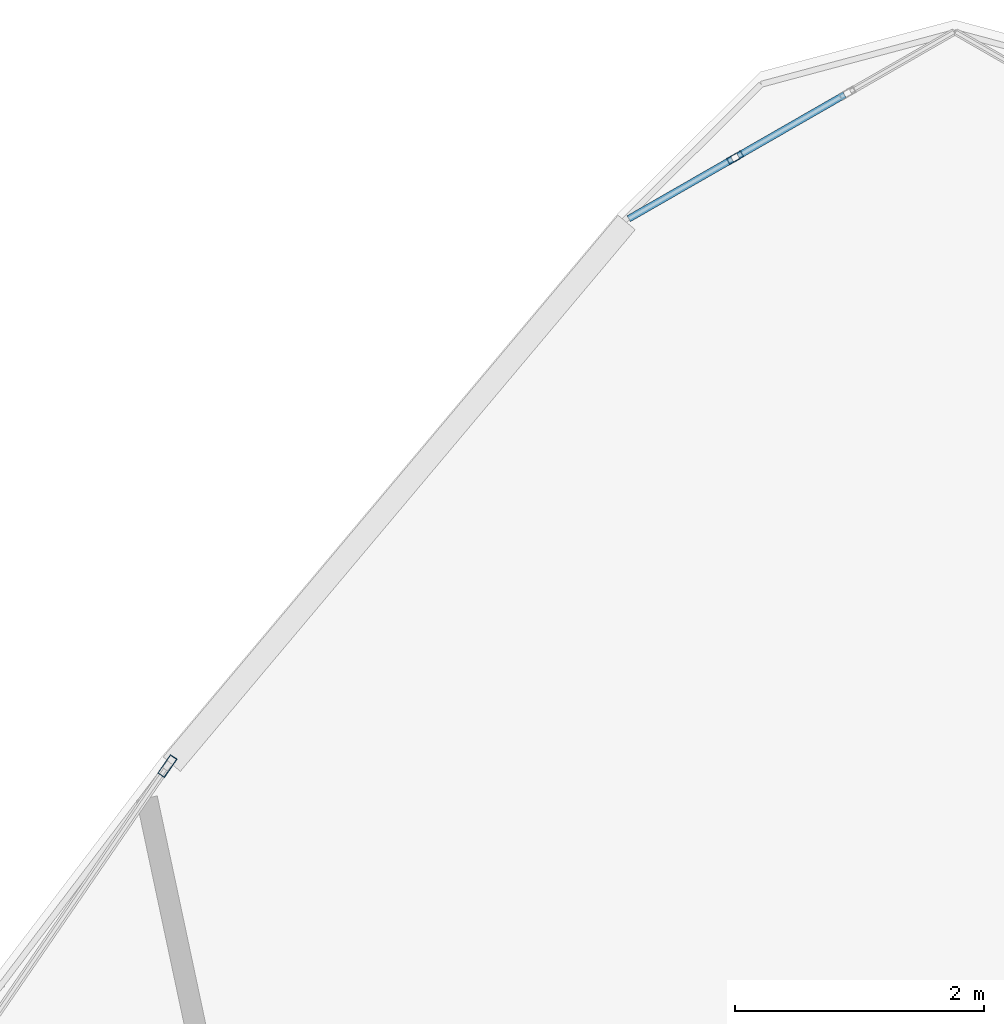
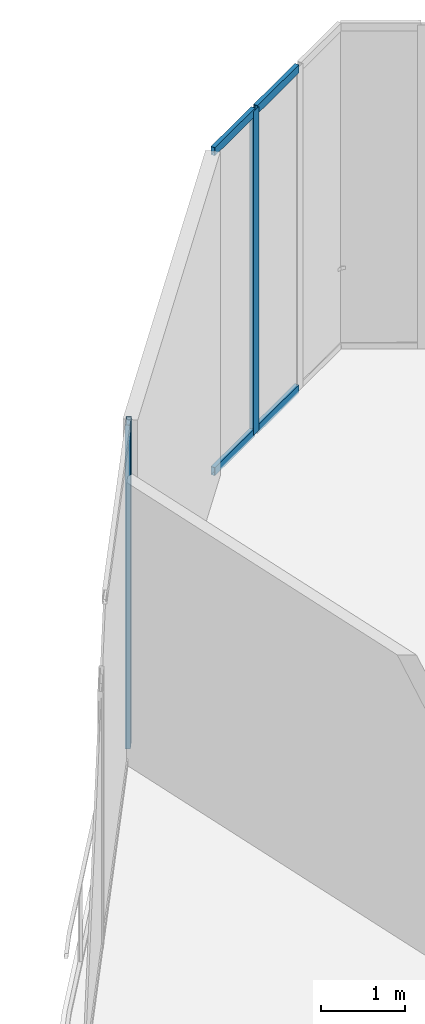
# One storey, part 25 of 33: 6 members, 2 elements without a shape of their own.
"""IFC4 building model written with IfcOpenShell, lengths in metres."""

from ifc_helpers import new_model, si_unit, direction, frame, origin, origin_2d, place, context, subcontext, project, spatial, hollow_rectangle, extrude, source, transform, mapped, material, layer, layer_set, material_profile, profile_set, type_object, element, aggregate, save


model = new_model("IFC4")

# Units and contexts
model_context = context("Model", 3, precision=1e-05, world=origin(), true_north=direction((0.0, 1.0)))
body_context = subcontext(model_context, "Body", "Model", "MODEL_VIEW")
ifc_project = project(units=[si_unit("LENGTHUNIT", "METRE"), si_unit("AREAUNIT", "SQUARE_METRE"), si_unit("VOLUMEUNIT", "CUBIC_METRE"), si_unit("PLANEANGLEUNIT", "RADIAN"), si_unit("MASSUNIT", "GRAM", prefix="KILO"), si_unit("THERMODYNAMICTEMPERATUREUNIT", "KELVIN"), si_unit("POWERUNIT", "WATT")], contexts=[model_context])

# Site, building, storey
site_placement = place(None, origin())
site = spatial("IfcSite", under=ifc_project, at=site_placement, CompositionType="ELEMENT")
building_placement = place(site_placement, origin())
building = spatial("IfcBuilding", under=site, at=building_placement, Name="Yunzhuo Pagoda Commons", CompositionType="ELEMENT")
storey_placement = place(building_placement, frame((0.0, 0.0, 391.760009765625)))
storey = spatial("IfcBuildingStorey", under=building, at=storey_placement, Name="L97", CompositionType="ELEMENT", Elevation=391.760009765625)

# Curtain wall, member
ifc_material = material(Name="Anodized aluminium 6063-T6", Category="aluminium")
ifc_layer_1 = layer(ifc_material, 0.179931640625)
ifc_layer_set_1 = layer_set([ifc_layer_1], Name="Anodized aluminium 6063-T6")
curtain_wall_type_1 = type_object("IfcCurtainWallType", Name="CW-CRN Crown Gable Glazing System", PredefinedType="NOTDEFINED", material=ifc_layer_set_1)
curtain_wall_1_placement = place(storey_placement, origin())
curtain_wall_1 = element("IfcCurtainWall", 1, at=curtain_wall_1_placement, inside=storey, type_object=curtain_wall_type_1, Name="L97 curtain wall CW-L97-CRNF3G1", PredefinedType="NOTDEFINED")
ifc_material_profile_1 = material_profile(ifc_material, hollow_rectangle(XDim=0.06494140625, YDim=0.179931640625, WallThickness=0.00390625, at=origin_2d()), Name="Anodized aluminium 6063-T6")
ifc_profile_set_1 = profile_set([ifc_material_profile_1], Name="Anodized aluminium 6063-T6")
member_type_1 = type_object("IfcMemberType", Name="CW-CRN-M Mullion RHS 180x65x4", PredefinedType="MULLION", material=ifc_profile_set_1)
shared_shape_1 = source(origin(), body_context, "Body", "SweptSolid", [
    extrude(hollow_rectangle(XDim=0.06494140625, YDim=0.179931640625, WallThickness=0.00390625, at=origin_2d()), origin(), (0.0, 0.0, 1.0), 4.72021484375),
])
member_1_placement = place(storey_placement, frame((41.67919921875, 64.46875, 0.0), z_axis=(0.0, 0.0, 1.0), x_axis=(0.824296116005, -0.566158911561, 0.0)))
member_1 = element("IfcMember", 2, at=member_1_placement, type_object=member_type_1, Name="CW mullion 1", PredefinedType="MULLION", context=body_context, shape_type="MappedRepresentation", body=[
    mapped(shared_shape_1, transform((0.0, 0.0, 0.0), scale=1.0)),
])
aggregate(curtain_wall_1, [member_1])

# Curtain wall, members
ifc_layer_2 = layer(ifc_material, 0.1298828125)
ifc_layer_set_2 = layer_set([ifc_layer_2], Name="Anodized aluminium 6063-T6")
curtain_wall_type_2 = type_object("IfcCurtainWallType", Name="CW-VTX Rounded Corner Curtain Wall", PredefinedType="NOTDEFINED", material=ifc_layer_set_2)
curtain_wall_2_placement = place(storey_placement, origin())
curtain_wall_2 = element("IfcCurtainWall", 3, at=curtain_wall_2_placement, inside=storey, type_object=curtain_wall_type_2, Name="L97 curtain wall CW-L97-CRNV3S2", PredefinedType="NOTDEFINED")
ifc_material_profile_2 = material_profile(ifc_material, hollow_rectangle(XDim=0.054931640625, YDim=0.1298828125, WallThickness=0.00341796875, at=origin_2d()), Name="Anodized aluminium 6063-T6")
ifc_profile_set_2 = profile_set([ifc_material_profile_2], Name="Anodized aluminium 6063-T6")
member_type_2 = type_object("IfcMemberType", Name="CW-VTX-M Mullion RHS 130x55x3.5", PredefinedType="MULLION", material=ifc_profile_set_2)
shared_shape_2 = source(origin(), body_context, "Body", "SweptSolid", [
    extrude(hollow_rectangle(XDim=0.054931640625, YDim=0.1298828125, WallThickness=0.00341796875, at=origin_2d()), origin(), (0.0, 0.0, 1.0), 4.72021484375),
])
member_2_placement = place(storey_placement, frame((46.236572265625, 69.3525390625, 0.0), z_axis=(0.0, 0.0, 1.0), x_axis=(0.497936732633, -0.867213359154, 0.0)))
member_2 = element("IfcMember", 4, at=member_2_placement, type_object=member_type_2, Name="CW mullion 3", PredefinedType="MULLION", context=body_context, shape_type="MappedRepresentation", body=[
    mapped(shared_shape_2, transform((0.0, 0.0, 0.0), scale=1.0)),
])
ifc_material_profile_3 = material_profile(ifc_material, hollow_rectangle(XDim=0.054931640625, YDim=0.1201171875, WallThickness=0.00341796875, at=origin_2d()), Name="Anodized aluminium 6063-T6")
ifc_profile_set_3 = profile_set([ifc_material_profile_3], Name="Anodized aluminium 6063-T6")
member_type_3 = type_object("IfcMemberType", Name="CW-VTX-T Transom RHS 120x55x3.5", PredefinedType="USERDEFINED", material=ifc_profile_set_3)
shared_shape_3 = source(origin(), body_context, "Body", "SweptSolid", [
    extrude(hollow_rectangle(XDim=0.054931640625, YDim=0.1201171875, WallThickness=0.00341796875, at=origin_2d()), origin(), (0.0, 0.0, 1.0), 0.984619140625),
])
member_3_placement = place(storey_placement, frame((47.1142578125, 69.8564453125, 0.027587890625), z_axis=(-0.867203521123, -0.497953866289, 0.0), x_axis=(0.497953866289, -0.867203521123, 0.0)))
member_3 = element("IfcMember", 5, at=member_3_placement, type_object=member_type_3, Name="CW transom 2.1", ObjectType="TRANSOM", PredefinedType="USERDEFINED", context=body_context, shape_type="MappedRepresentation", body=[
    mapped(shared_shape_3, transform((0.0, 0.0, 0.0), scale=1.0)),
])
member_4_placement = place(storey_placement, frame((47.1142578125, 69.8564453125, 4.6923828125), z_axis=(-0.867203521123, -0.497953866289, 0.0), x_axis=(0.497953866289, -0.867203521123, 0.0)))
member_4 = element("IfcMember", 6, at=member_4_placement, type_object=member_type_3, Name="CW transom 2.2", ObjectType="TRANSOM", PredefinedType="USERDEFINED", context=body_context, shape_type="MappedRepresentation", body=[
    mapped(shared_shape_3, transform((0.0, 0.0, 0.0), scale=1.0)),
])
shared_shape_4 = source(origin(), body_context, "Body", "SweptSolid", [
    extrude(hollow_rectangle(XDim=0.054931640625, YDim=0.1201171875, WallThickness=0.00341796875, at=origin_2d()), origin(), (0.0, 0.0, 1.0), 0.957275390625),
])
member_5_placement = place(storey_placement, frame((46.212890625, 69.3388671875, 0.027587890625), z_axis=(-0.867299991216, -0.497785822656, 0.0), x_axis=(0.497785822656, -0.867299991216, 0.0)))
member_5 = element("IfcMember", 7, at=member_5_placement, type_object=member_type_3, Name="CW transom 3.1", ObjectType="TRANSOM", PredefinedType="USERDEFINED", context=body_context, shape_type="MappedRepresentation", body=[
    mapped(shared_shape_4, transform((0.0, 0.0, 0.0), scale=1.0)),
])
member_6_placement = place(storey_placement, frame((46.212890625, 69.3388671875, 4.6923828125), z_axis=(-0.867299991216, -0.497785822656, 0.0), x_axis=(0.497785822656, -0.867299991216, 0.0)))
member_6 = element("IfcMember", 8, at=member_6_placement, type_object=member_type_3, Name="CW transom 3.2", ObjectType="TRANSOM", PredefinedType="USERDEFINED", context=body_context, shape_type="MappedRepresentation", body=[
    mapped(shared_shape_4, transform((0.0, 0.0, 0.0), scale=1.0)),
])
aggregate(curtain_wall_2, [member_2, member_3, member_4, member_5, member_6])

save(model, "model.ifc")
